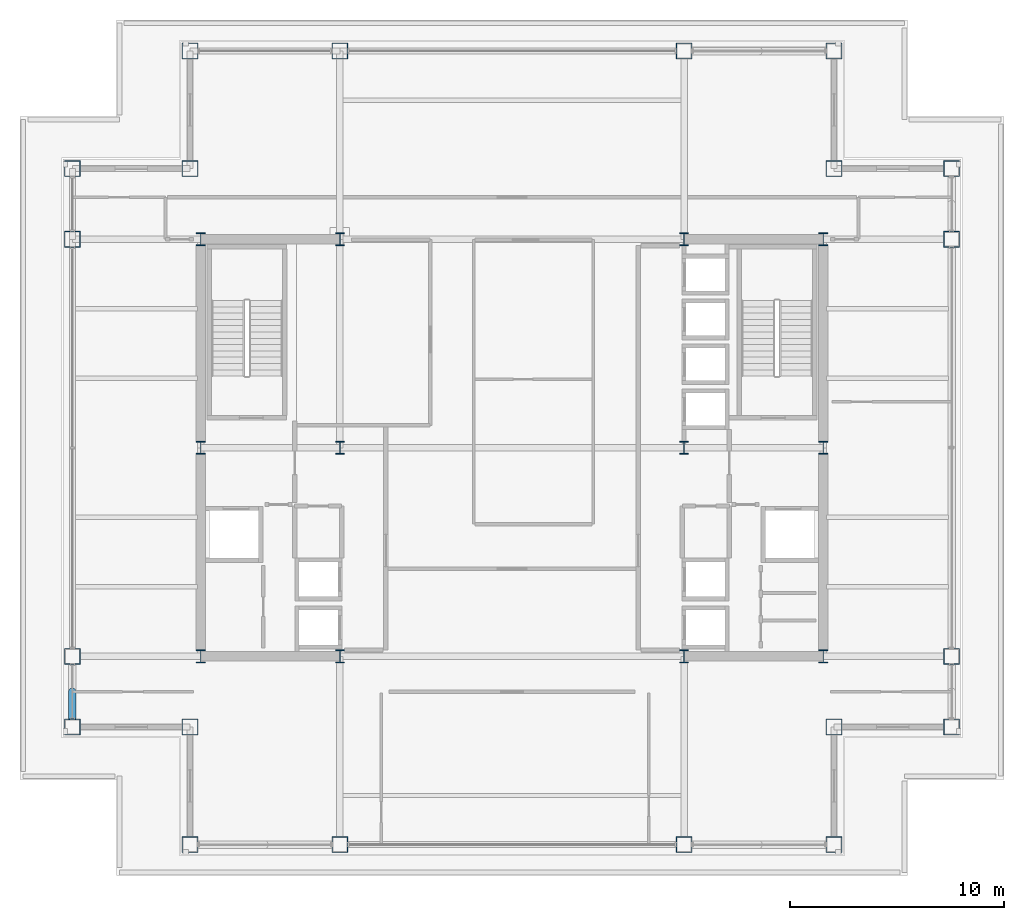
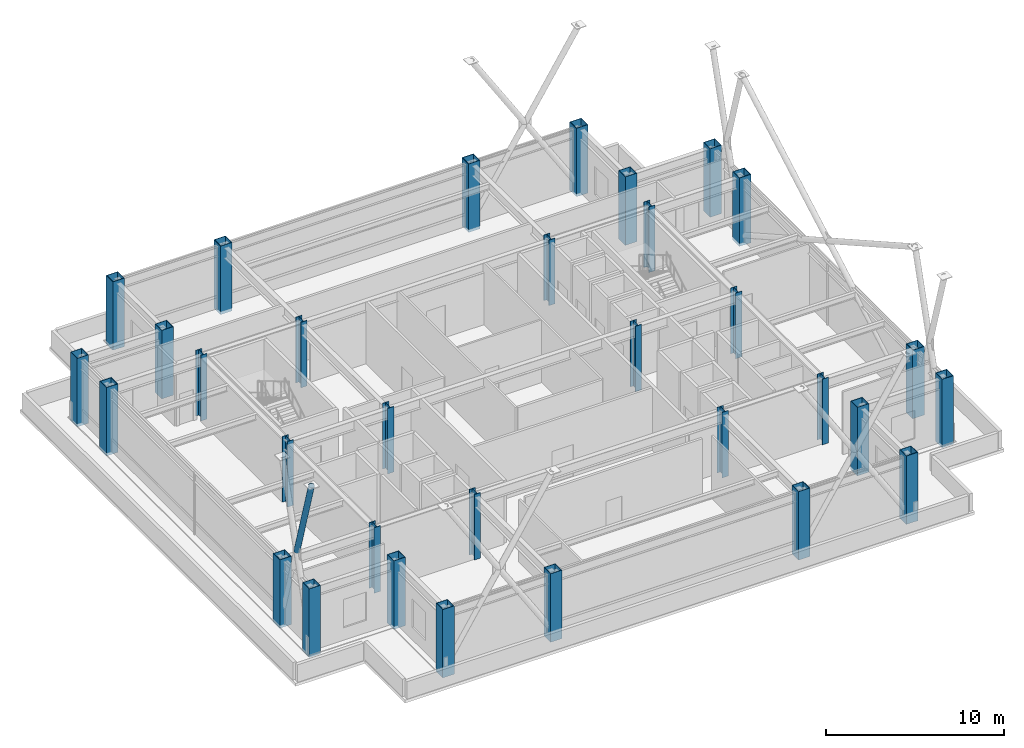
# One storey, part 1 of 24: 32 columns, 1 member.
"""IFC4 building model written with IfcOpenShell, lengths in metres."""

from ifc_helpers import new_model, si_unit, direction, frame, origin, origin_2d, place, context, subcontext, project, spatial, hollow_rectangle, hollow_circle, i_section, extrude, material, material_profile, profile_set, type_object, element, save


model = new_model("IFC4")

# Units and contexts
model_context = context("Model", 3, precision=1e-05, world=origin(), true_north=direction((0.0, 1.0)))
body_context = subcontext(model_context, "Body", "Model", "MODEL_VIEW")
ifc_project = project(units=[si_unit("LENGTHUNIT", "METRE"), si_unit("AREAUNIT", "SQUARE_METRE"), si_unit("VOLUMEUNIT", "CUBIC_METRE"), si_unit("PLANEANGLEUNIT", "RADIAN"), si_unit("MASSUNIT", "GRAM", prefix="KILO")], contexts=[model_context])

# Site, building, storey
site_placement = place(None, origin())
site = spatial("IfcSite", under=ifc_project, at=site_placement, CompositionType="ELEMENT")
building_placement = place(site_placement, origin())
building = spatial("IfcBuilding", under=site, at=building_placement, Name="Brelmoor Portico Tower", CompositionType="ELEMENT")
storey_placement = place(building_placement, frame((0.0, 0.0, 150.60009765625)))
storey = spatial("IfcBuildingStorey", under=building, at=storey_placement, Name="L39", CompositionType="ELEMENT", Elevation=150.60009765625)

# Columns
ifc_material = material(Name="Steel Q355B", Category="steel")
ifc_material_profile_1 = material_profile(ifc_material, hollow_rectangle(XDim=0.75, YDim=0.75, WallThickness=0.031982421875, at=origin_2d()), Name="BOX 750x750x32")
ifc_profile_set_1 = profile_set([ifc_material_profile_1], Name="Steel Q355B")
column_type_1 = type_object("IfcColumnType", Name="COL-MEGA-750", PredefinedType="COLUMN", material=ifc_profile_set_1)
for number, where, z_axis, x_axis, name in (
    (1, (-15.050048828125, -18.550048828125, -0.2001953125), (0.0, 0.0, 1.0), (1.0, 0.0, 0.0), "L39 Perimeter Mega-Column PS01"),
    (2, (-8.050048828125, -18.550048828125, -0.2001953125), (0.0, 0.0, 1.0), (1.0, 0.0, 0.0), "L39 Perimeter Mega-Column PS02"),
    (3, (8.050048828125, -18.550048828125, -0.2001953125), (0.0, 0.0, 1.0), (1.0, 0.0, 0.0), "L39 Perimeter Mega-Column PS03"),
    (4, (15.050048828125, -18.550048828125, -0.2001953125), (0.0, 0.0, 1.0), (1.0, 0.0, 0.0), "L39 Perimeter Mega-Column PS04"),
    (5, (-15.050048828125, 18.550048828125, -0.2001953125), (0.0, 0.0, 1.0), (1.0, 0.0, 0.0), "L39 Perimeter Mega-Column PN01"),
    (6, (-8.050048828125, 18.550048828125, -0.2001953125), (0.0, 0.0, 1.0), (1.0, 0.0, 0.0), "L39 Perimeter Mega-Column PN02"),
    (7, (8.050048828125, 18.550048828125, -0.2001953125), (0.0, 0.0, 1.0), (1.0, 0.0, 0.0), "L39 Perimeter Mega-Column PN03"),
    (8, (15.050048828125, 18.550048828125, -0.2001953125), (0.0, 0.0, 1.0), (1.0, 0.0, 0.0), "L39 Perimeter Mega-Column PN04"),
    (9, (-20.550048828125, -13.050048828125, -0.2001953125), (0.0, 0.0, 1.0), (0.0, 1.0, 0.0), "L39 Perimeter Mega-Column PW01"),
    (10, (-20.550048828125, -9.75, -0.2001953125), (0.0, 0.0, 1.0), (0.0, 1.0, 0.0), "L39 Perimeter Mega-Column PW02"),
    (11, (-20.550048828125, 9.75, -0.2001953125), (0.0, 0.0, 1.0), (0.0, 1.0, 0.0), "L39 Perimeter Mega-Column PW03"),
    (12, (-20.550048828125, 13.050048828125, -0.2001953125), (0.0, 0.0, 1.0), (0.0, 1.0, 0.0), "L39 Perimeter Mega-Column PW04"),
    (13, (20.550048828125, -13.050048828125, -0.2001953125), (0.0, 0.0, 1.0), (0.0, 1.0, 0.0), "L39 Perimeter Mega-Column PE01"),
    (14, (20.550048828125, -9.75, -0.2001953125), (0.0, 0.0, 1.0), (0.0, 1.0, 0.0), "L39 Perimeter Mega-Column PE02"),
    (15, (20.550048828125, 9.75, -0.2001953125), (0.0, 0.0, 1.0), (0.0, 1.0, 0.0), "L39 Perimeter Mega-Column PE03"),
    (16, (20.550048828125, 13.050048828125, -0.2001953125), (0.0, 0.0, 1.0), (0.0, 1.0, 0.0), "L39 Perimeter Mega-Column PE04"),
    (17, (-15.050048828125, 13.050048828125, -0.2001953125), (0.0, 0.0, 1.0), (1.0, 0.0, 0.0), "L39 Perimeter Mega-Column PC-NW"),
    (18, (15.050048828125, 13.050048828125, -0.2001953125), (0.0, 0.0, 1.0), (1.0, 0.0, 0.0), "L39 Perimeter Mega-Column PC-NE"),
    (19, (15.050048828125, -13.050048828125, -0.2001953125), (0.0, 0.0, 1.0), (1.0, 0.0, 0.0), "L39 Perimeter Mega-Column PC-SE"),
    (20, (-15.050048828125, -13.050048828125, -0.2001953125), (0.0, 0.0, 1.0), (1.0, 0.0, 0.0), "L39 Perimeter Mega-Column PC-SW"),
):
    element("IfcColumn", number, at=place(storey_placement, frame(where, z_axis=z_axis, x_axis=x_axis)), inside=storey, type_object=column_type_1, Name=name, PredefinedType="COLUMN", context=body_context, shape_type="SweptSolid", body=[
        extrude(hollow_rectangle(XDim=0.75, YDim=0.75, WallThickness=0.031982421875, at=origin_2d()), origin(), (0.0, 0.0, 1.0), 4.7001953125),
    ])
ifc_material_profile_2 = material_profile(ifc_material, i_section(OverallWidth=0.39990234375, OverallDepth=0.60009765625, WebThickness=0.02197265625, FlangeThickness=0.035888671875, at=origin_2d()), Name="HW 600x400x22x36")
ifc_profile_set_2 = profile_set([ifc_material_profile_2], Name="Steel Q355B")
column_type_2 = type_object("IfcColumnType", Name="COL-SPINE-600", PredefinedType="COLUMN", material=ifc_profile_set_2)
for number, where, z_axis, x_axis, name in (
    (21, (-14.550048828125, -9.75, 0.0), (0.0, 0.0, 1.0), (1.0, 0.0, 0.0), "L39 Core Spine Column CW-SW"),
    (22, (-14.550048828125, 0.0, 0.0), (0.0, 0.0, 1.0), (1.0, 0.0, 0.0), "L39 Core Spine Column CW-MW"),
    (23, (-14.550048828125, 9.75, 0.0), (0.0, 0.0, 1.0), (1.0, 0.0, 0.0), "L39 Core Spine Column CW-NW"),
    (24, (-8.050048828125, -9.75, 0.0), (0.0, 0.0, 1.0), (1.0, 0.0, 0.0), "L39 Core Spine Column CW-SE"),
    (25, (-8.050048828125, 0.0, 0.0), (0.0, 0.0, 1.0), (1.0, 0.0, 0.0), "L39 Core Spine Column CW-ME"),
    (26, (-8.050048828125, 9.75, 0.0), (0.0, 0.0, 1.0), (1.0, 0.0, 0.0), "L39 Core Spine Column CW-NE"),
    (27, (8.050048828125, -9.75, 0.0), (0.0, 0.0, 1.0), (1.0, 0.0, 0.0), "L39 Core Spine Column CE-SW"),
    (28, (8.050048828125, 0.0, 0.0), (0.0, 0.0, 1.0), (1.0, 0.0, 0.0), "L39 Core Spine Column CE-MW"),
    (29, (8.050048828125, 9.75, 0.0), (0.0, 0.0, 1.0), (1.0, 0.0, 0.0), "L39 Core Spine Column CE-NW"),
    (30, (14.550048828125, -9.75, 0.0), (0.0, 0.0, 1.0), (1.0, 0.0, 0.0), "L39 Core Spine Column CE-SE"),
    (31, (14.550048828125, 0.0, 0.0), (0.0, 0.0, 1.0), (1.0, 0.0, 0.0), "L39 Core Spine Column CE-ME"),
    (32, (14.550048828125, 9.75, 0.0), (0.0, 0.0, 1.0), (1.0, 0.0, 0.0), "L39 Core Spine Column CE-NE"),
):
    element("IfcColumn", number, at=place(storey_placement, frame(where, z_axis=z_axis, x_axis=x_axis)), inside=storey, type_object=column_type_2, Name=name, PredefinedType="COLUMN", context=body_context, shape_type="SweptSolid", body=[
        extrude(i_section(OverallWidth=0.39990234375, OverallDepth=0.60009765625, WebThickness=0.02197265625, FlangeThickness=0.035888671875, at=origin_2d()), origin(), (0.0, 0.0, 1.0), 4.5),
    ])

# Member
ifc_material_profile_3 = material_profile(ifc_material, hollow_circle(Radius=0.177978515625, WallThickness=0.01611328125, at=origin_2d()), Name="CHS 356x16")
ifc_profile_set_3 = profile_set([ifc_material_profile_3], Name="Steel Q355B")
member_type = type_object("IfcMemberType", Name="MB-BELT-DIAG2", PredefinedType="BRACE", material=ifc_profile_set_3)
member_placement = place(storey_placement, frame((-20.550048828125, -11.39990234375, 5.75), z_axis=(0.0, -0.287371289243, 0.957819263806), x_axis=(1.0, 0.0, 0.0)))
element("IfcMember", 33, at=member_placement, inside=storey, type_object=member_type, Name="L39 Split Mega-X Brace 087B2", PredefinedType="BRACE", context=body_context, shape_type="SweptSolid", body=[
    extrude(hollow_circle(Radius=0.177978515625, WallThickness=0.01611328125, at=origin_2d()), origin(), (0.0, 0.0, 1.0), 5.7421875),
])

save(model, "model.ifc")
